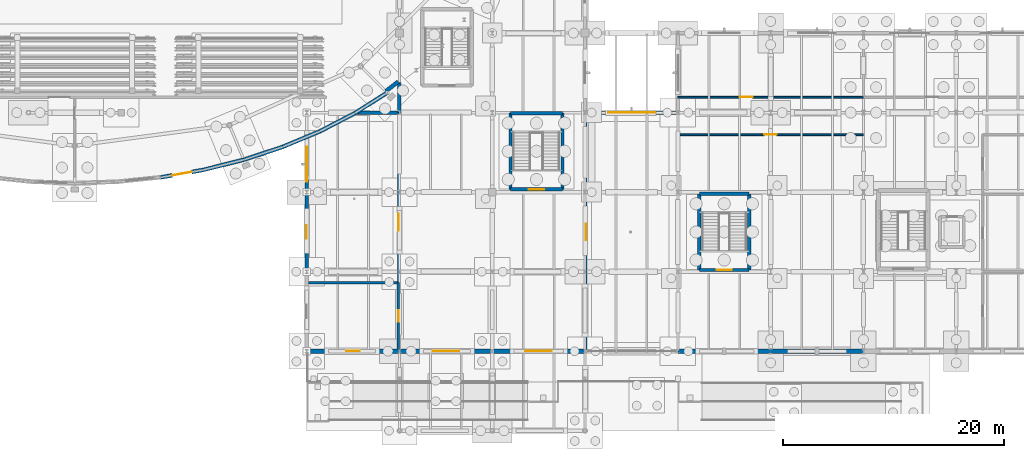
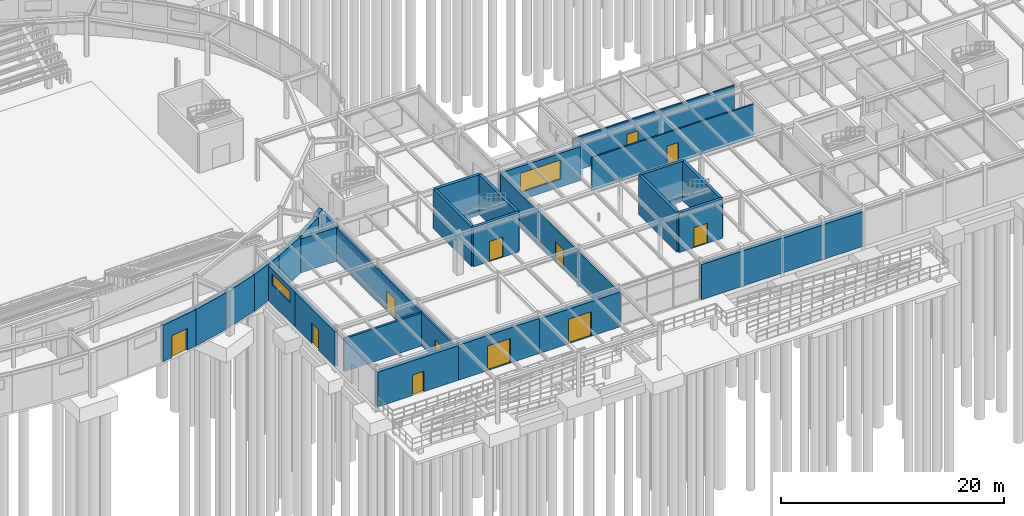
# One storey, part 58 of 93: 31 walls, 12 doors, 2 windows, 14 openings.
"""IFC4 building model written with IfcOpenShell, lengths in metres."""

from ifc_helpers import new_model, si_unit, derived_unit, direction, frame, frame_2d, origin, place, context, subcontext, project, spatial, rectangle, extrude, material, layer, layer_set, type_object, element, fill, save


model = new_model("IFC4")

# Units and contexts
model_context = context("Model", 3, precision=1e-05, world=origin(), true_north=direction((0.0, 1.0)))
body_context = subcontext(model_context, "Body", "Model", "MODEL_VIEW")
ifc_project = project(units=[si_unit("LENGTHUNIT", "METRE"), si_unit("AREAUNIT", "SQUARE_METRE"), si_unit("VOLUMEUNIT", "CUBIC_METRE"), si_unit("PLANEANGLEUNIT", "RADIAN"), si_unit("MASSUNIT", "GRAM", prefix="KILO"), derived_unit("THERMALTRANSMITTANCEUNIT", [(si_unit("MASSUNIT", "GRAM", prefix="KILO"), 1), (si_unit("TIMEUNIT", "SECOND"), -3), (si_unit("THERMODYNAMICTEMPERATUREUNIT", "KELVIN"), -1)])], contexts=[model_context])

# Site, building, storey
site_placement = place(None, origin())
site = spatial("IfcSite", under=ifc_project, at=site_placement, CompositionType="ELEMENT")
building_placement = place(site_placement, origin())
building = spatial("IfcBuilding", under=site, at=building_placement, Name="Kharveza Railside Sports Centre", CompositionType="ELEMENT")
storey_placement = place(building_placement, origin())
storey = spatial("IfcBuildingStorey", under=building, at=storey_placement, Name="L00", CompositionType="ELEMENT", Elevation=0.0)

# Wall, opening, door
ifc_material_1 = material(Name="Precast concrete C40/50", Category="concrete")
ifc_layer_1 = layer(ifc_material_1, 0.419921875, Name="Precast concrete C40/50")
ifc_layer_set_1 = layer_set([ifc_layer_1], Name="Precast concrete C40/50")
wall_type_1 = type_object("IfcWallType", Name="WL-BM420", PredefinedType="SOLIDWALL", material=ifc_layer_set_1)
wall_1_placement = place(storey_placement, frame((75.60009765625, 7.199951171875, 0.0), z_axis=(0.0, 0.0, 1.0), x_axis=(1.0, 0.0, 0.0)))
wall_1 = element("IfcWall", 1, at=wall_1_placement, inside=storey, type_object=wall_type_1, Name="WL-EXT-L00-005", PredefinedType="SOLIDWALL", context=body_context, shape_type="SweptSolid", body=[
    extrude(rectangle(XDim=8.39990234375, YDim=0.419921875, at=frame_2d((4.199951171875, 0.0))), origin(), (0.0, 0.0, 1.0), 3.804931640625),
])
opening_1_placement = place(wall_1_placement, frame((3.60009765625, 0.0, 0.0)))
opening_1 = element("IfcOpeningElement", 2, at=opening_1_placement, cuts=wall_1, Name="Opening D05", PredefinedType="OPENING", context=body_context, shape_type="SweptSolid", body=[
    extrude(rectangle(XDim=1.199951171875, YDim=2.25, at=frame_2d((0.60009765625, 1.125))), frame((0.0, 0.23486328125, 0.0), z_axis=(0.0, -1.0, 0.0), x_axis=(1.0, 0.0, 0.0)), (0.0, 0.0, 1.0), 0.4697265625),
])
ifc_material_2 = material(Name="Anodised aluminium 6063-T6", Category="aluminium")
door_type_1 = type_object("IfcDoorType", Name="DR-EX05", OperationType="NOTDEFINED", PredefinedType="DOOR", material=ifc_material_2)
door_1_placement = place(opening_1_placement, frame((1.199951171875, 0.0, 0.0), z_axis=(0.0, 0.0, 1.0), x_axis=(-1.0, 0.0, 0.0)))
door_1 = element("IfcDoor", 3, at=door_1_placement, inside=storey, type_object=door_type_1, Name="DR-L00-EX-003", OperationType="SINGLE_SWING_LEFT", OverallHeight=2.25, OverallWidth=1.199951171875, PredefinedType="DOOR", context=body_context, shape_type="SweptSolid", body=[
    extrude(rectangle(XDim=1.199951171875, YDim=2.25, at=frame_2d((0.60009765625, 1.125))), frame((0.0, 0.02490234375, 0.0), z_axis=(0.0, -1.0, 0.0), x_axis=(1.0, 0.0, 0.0)), (0.0, 0.0, 1.0), 0.050048828125),
])
fill(opening_1, door_1)

wall_2_placement = place(storey_placement, frame((84.0, 7.199951171875, 0.0), z_axis=(0.0, 0.0, 1.0), x_axis=(1.0, 0.0, 0.0)))
wall_2 = element("IfcWall", 4, at=wall_2_placement, inside=storey, type_object=wall_type_1, Name="WL-EXT-L00-006", PredefinedType="SOLIDWALL", context=body_context, shape_type="SweptSolid", body=[
    extrude(rectangle(XDim=8.39990234375, YDim=0.419921875, at=frame_2d((4.199951171875, 0.0))), origin(), (0.0, 0.0, 1.0), 3.85498046875),
])
opening_2_placement = place(wall_2_placement, frame((3.0, 0.0, 0.0)))
opening_2 = element("IfcOpeningElement", 5, at=opening_2_placement, cuts=wall_2, Name="Opening D01", PredefinedType="OPENING", context=body_context, shape_type="SweptSolid", body=[
    extrude(rectangle(XDim=2.39990234375, YDim=2.699951171875, at=frame_2d((1.199951171875, 1.35009765625))), frame((0.0, 0.23486328125, 0.0), z_axis=(0.0, -1.0, 0.0), x_axis=(1.0, 0.0, 0.0)), (0.0, 0.0, 1.0), 0.4697265625),
])
door_type_2 = type_object("IfcDoorType", Name="DR-EX01", OperationType="NOTDEFINED", PredefinedType="DOOR", material=ifc_material_2)
door_2_placement = place(opening_2_placement, frame((2.39990234375, 0.0, 0.0), z_axis=(0.0, 0.0, 1.0), x_axis=(-1.0, 0.0, 0.0)))
door_2 = element("IfcDoor", 6, at=door_2_placement, inside=storey, type_object=door_type_2, Name="DR-EXT-MAIN-004", OperationType="DOUBLE_DOOR_SINGLE_SWING", OverallHeight=2.699951171875, OverallWidth=2.39990234375, PredefinedType="DOOR", context=body_context, shape_type="SweptSolid", body=[
    extrude(rectangle(XDim=2.39990234375, YDim=2.699951171875, at=frame_2d((1.199951171875, 1.35009765625))), frame((0.0, 0.02490234375, 0.0), z_axis=(0.0, -1.0, 0.0), x_axis=(1.0, 0.0, 0.0)), (0.0, 0.0, 1.0), 0.050048828125),
])
fill(opening_2, door_2)

wall_3_placement = place(storey_placement, frame((92.39990234375, 7.199951171875, 0.0), z_axis=(0.0, 0.0, 1.0), x_axis=(1.0, 0.0, 0.0)))
wall_3 = element("IfcWall", 7, at=wall_3_placement, inside=storey, type_object=wall_type_1, Name="WL-EXT-L00-007", PredefinedType="SOLIDWALL", context=body_context, shape_type="SweptSolid", body=[
    extrude(rectangle(XDim=8.400146484375, YDim=0.419921875, at=frame_2d((4.2001953125, 0.0))), origin(), (0.0, 0.0, 1.0), 3.804931640625),
])
opening_3_placement = place(wall_3_placement, frame((3.0, 0.0, 0.0)))
opening_3 = element("IfcOpeningElement", 8, at=opening_3_placement, cuts=wall_3, Name="Opening D01", PredefinedType="OPENING", context=body_context, shape_type="SweptSolid", body=[
    extrude(rectangle(XDim=2.39990234375, YDim=2.699951171875, at=frame_2d((1.199951171875, 1.35009765625))), frame((0.0, 0.23486328125, 0.0), z_axis=(0.0, -1.0, 0.0), x_axis=(1.0, 0.0, 0.0)), (0.0, 0.0, 1.0), 0.4697265625),
])
door_3_placement = place(opening_3_placement, frame((2.39990234375, 0.0, 0.0), z_axis=(0.0, 0.0, 1.0), x_axis=(-1.0, 0.0, 0.0)))
door_3 = element("IfcDoor", 9, at=door_3_placement, inside=storey, type_object=door_type_2, Name="DR-EXT-MAIN-005", OperationType="DOUBLE_DOOR_SINGLE_SWING", OverallHeight=2.699951171875, OverallWidth=2.39990234375, PredefinedType="DOOR", context=body_context, shape_type="SweptSolid", body=[
    extrude(rectangle(XDim=2.39990234375, YDim=2.699951171875, at=frame_2d((1.199951171875, 1.35009765625))), frame((0.0, 0.02490234375, 0.0), z_axis=(0.0, -1.0, 0.0), x_axis=(1.0, 0.0, 0.0)), (0.0, 0.0, 1.0), 0.050048828125),
])
fill(opening_3, door_3)

# Walls
wall_4_placement = place(storey_placement, frame((109.199951171875, 7.199951171875, 0.0), z_axis=(0.0, 0.0, 1.0), x_axis=(1.0, 0.0, 0.0)))
element("IfcWall", 10, at=wall_4_placement, inside=storey, type_object=wall_type_1, Name="WL-EXT-L00-008", PredefinedType="SOLIDWALL", context=body_context, shape_type="SweptSolid", body=[
    extrude(rectangle(XDim=8.400146484375, YDim=0.419921875, at=frame_2d((4.2001953125, 0.0))), origin(), (0.0, 0.0, 1.0), 3.85498046875),
])
wall_5_placement = place(storey_placement, frame((117.60009765625, 7.199951171875, 0.0), z_axis=(0.0, 0.0, 1.0), x_axis=(1.0, 0.0, 0.0)))
element("IfcWall", 11, at=wall_5_placement, inside=storey, type_object=wall_type_1, Name="WL-EXT-L00-009", PredefinedType="SOLIDWALL", context=body_context, shape_type="SweptSolid", body=[
    extrude(rectangle(XDim=8.39990234375, YDim=0.419921875, at=frame_2d((4.199951171875, 0.0))), origin(), (0.0, 0.0, 1.0), 3.804931640625),
])

# Wall, opening, door
ifc_material_3 = material(Name="Concrete C35/45", Category="concrete")
ifc_layer_2 = layer(ifc_material_3, 0.300048828125, Name="Concrete C35/45")
ifc_layer_set_2 = layer_set([ifc_layer_2], Name="Concrete C35/45")
wall_type_2 = type_object("IfcWallType", Name="WL-CR300", PredefinedType="SHEAR", material=ifc_layer_set_2)
wall_6_placement = place(storey_placement, frame((94.050048828125, 21.85009765625, 0.0), z_axis=(0.0, 0.0, 1.0), x_axis=(1.0, 0.0, 0.0)))
wall_6 = element("IfcWall", 12, at=wall_6_placement, inside=storey, type_object=wall_type_2, Name="WL-CORE-ST10-L00-S", PredefinedType="SHEAR", context=body_context, shape_type="SweptSolid", body=[
    extrude(rectangle(XDim=4.699951171875, YDim=0.300048828125, at=frame_2d((2.35009765625, 0.0))), origin(), (0.0, 0.0, 1.0), 4.320068359375),
])
opening_4_placement = place(wall_6_placement, frame((1.64990234375, 0.0, 0.0)))
opening_4 = element("IfcOpeningElement", 13, at=opening_4_placement, cuts=wall_6, Name="Opening D09", PredefinedType="OPENING", context=body_context, shape_type="SweptSolid", body=[
    extrude(rectangle(XDim=1.39990234375, YDim=2.199951171875, at=frame_2d((0.699951171875, 1.10009765625))), frame((0.0, 0.1748046875, 0.0), z_axis=(0.0, -1.0, 0.0), x_axis=(1.0, 0.0, 0.0)), (0.0, 0.0, 1.0), 0.349853515625),
])
ifc_material_4 = material(Name="Fire-rated hardwood door leaf", Category="wood")
door_type_3 = type_object("IfcDoorType", Name="DR-ST02", OperationType="NOTDEFINED", PredefinedType="DOOR", material=ifc_material_4)
door_4_placement = place(opening_4_placement, frame((1.39990234375, 0.0, 0.0), z_axis=(0.0, 0.0, 1.0), x_axis=(-1.0, 0.0, 0.0)))
door_4 = element("IfcDoor", 14, at=door_4_placement, inside=storey, type_object=door_type_3, Name="DR-ST-ST10-L00", OperationType="SINGLE_SWING_RIGHT", OverallHeight=2.199951171875, OverallWidth=1.39990234375, PredefinedType="DOOR", context=body_context, shape_type="SweptSolid", body=[
    extrude(rectangle(XDim=1.39990234375, YDim=2.199951171875, at=frame_2d((0.699951171875, 1.10009765625))), frame((0.0, 0.02490234375, 0.0), z_axis=(0.0, -1.0, 0.0), x_axis=(1.0, 0.0, 0.0)), (0.0, 0.0, 1.0), 0.050048828125),
])
fill(opening_4, door_4)

# Walls
wall_7_placement = place(storey_placement, frame((98.75, 21.85009765625, 0.0), z_axis=(0.0, 0.0, 1.0), x_axis=(0.0, 1.0, 0.0)))
element("IfcWall", 15, at=wall_7_placement, inside=storey, type_object=wall_type_2, Name="WL-CORE-ST10-L00-E", PredefinedType="SHEAR", context=body_context, shape_type="SweptSolid", body=[
    extrude(rectangle(XDim=6.89990234375, YDim=0.300048828125, at=frame_2d((3.449951171875, 0.0))), origin(), (0.0, 0.0, 1.0), 4.320068359375),
])
wall_8_placement = place(storey_placement, frame((98.75, 28.75, 0.0), z_axis=(0.0, 0.0, 1.0), x_axis=(-1.0, 0.0, 0.0)))
element("IfcWall", 16, at=wall_8_placement, inside=storey, type_object=wall_type_2, Name="WL-CORE-ST10-L00-N", PredefinedType="SHEAR", context=body_context, shape_type="SweptSolid", body=[
    extrude(rectangle(XDim=4.699951171875, YDim=0.300048828125, at=frame_2d((2.35009765625, 0.0))), origin(), (0.0, 0.0, 1.0), 4.320068359375),
])
wall_9_placement = place(storey_placement, frame((94.050048828125, 28.75, 0.0), z_axis=(0.0, 0.0, 1.0), x_axis=(0.0, -1.0, 0.0)))
element("IfcWall", 17, at=wall_9_placement, inside=storey, type_object=wall_type_2, Name="WL-CORE-ST10-L00-W", PredefinedType="SHEAR", context=body_context, shape_type="SweptSolid", body=[
    extrude(rectangle(XDim=6.89990234375, YDim=0.300048828125, at=frame_2d((3.449951171875, 0.0))), origin(), (0.0, 0.0, 1.0), 4.320068359375),
])

# Wall, opening, door
wall_10_placement = place(storey_placement, frame((111.14990234375, 14.550048828125, 0.0), z_axis=(0.0, 0.0, 1.0), x_axis=(1.0, 0.0, 0.0)))
wall_10 = element("IfcWall", 18, at=wall_10_placement, inside=storey, type_object=wall_type_2, Name="WL-CORE-ST12-L00-S", PredefinedType="SHEAR", context=body_context, shape_type="SweptSolid", body=[
    extrude(rectangle(XDim=4.5, YDim=0.300048828125, at=frame_2d((2.25, 0.0))), origin(), (0.0, 0.0, 1.0), 4.320068359375),
])
opening_5_placement = place(wall_10_placement, frame((1.550048828125, 0.0, 0.0)))
opening_5 = element("IfcOpeningElement", 19, at=opening_5_placement, cuts=wall_10, Name="Opening D09", PredefinedType="OPENING", context=body_context, shape_type="SweptSolid", body=[
    extrude(rectangle(XDim=1.39990234375, YDim=2.199951171875, at=frame_2d((0.699951171875, 1.10009765625))), frame((0.0, 0.1748046875, 0.0), z_axis=(0.0, -1.0, 0.0), x_axis=(1.0, 0.0, 0.0)), (0.0, 0.0, 1.0), 0.349853515625),
])
door_5_placement = place(opening_5_placement, frame((1.39990234375, 0.0, 0.0), z_axis=(0.0, 0.0, 1.0), x_axis=(-1.0, 0.0, 0.0)))
door_5 = element("IfcDoor", 20, at=door_5_placement, inside=storey, type_object=door_type_3, Name="DR-ST-ST12-L00", OperationType="SINGLE_SWING_LEFT", OverallHeight=2.199951171875, OverallWidth=1.39990234375, PredefinedType="DOOR", context=body_context, shape_type="SweptSolid", body=[
    extrude(rectangle(XDim=1.39990234375, YDim=2.199951171875, at=frame_2d((0.699951171875, 1.10009765625))), frame((0.0, 0.02490234375, 0.0), z_axis=(0.0, -1.0, 0.0), x_axis=(1.0, 0.0, 0.0)), (0.0, 0.0, 1.0), 0.050048828125),
])
fill(opening_5, door_5)

# Walls
wall_11_placement = place(storey_placement, frame((115.64990234375, 14.550048828125, 0.0), z_axis=(0.0, 0.0, 1.0), x_axis=(0.0, 1.0, 0.0)))
element("IfcWall", 21, at=wall_11_placement, inside=storey, type_object=wall_type_2, Name="WL-CORE-ST12-L00-E", PredefinedType="SHEAR", context=body_context, shape_type="SweptSolid", body=[
    extrude(rectangle(XDim=6.89990234375, YDim=0.300048828125, at=frame_2d((3.449951171875, 0.0))), origin(), (0.0, 0.0, 1.0), 4.320068359375),
])
wall_12_placement = place(storey_placement, frame((115.64990234375, 21.449951171875, 0.0), z_axis=(0.0, 0.0, 1.0), x_axis=(-1.0, 0.0, 0.0)))
element("IfcWall", 22, at=wall_12_placement, inside=storey, type_object=wall_type_2, Name="WL-CORE-ST12-L00-N", PredefinedType="SHEAR", context=body_context, shape_type="SweptSolid", body=[
    extrude(rectangle(XDim=4.5, YDim=0.300048828125, at=frame_2d((2.25, 0.0))), origin(), (0.0, 0.0, 1.0), 4.320068359375),
])
wall_13_placement = place(storey_placement, frame((111.14990234375, 21.449951171875, 0.0), z_axis=(0.0, 0.0, 1.0), x_axis=(0.0, -1.0, 0.0)))
element("IfcWall", 23, at=wall_13_placement, inside=storey, type_object=wall_type_2, Name="WL-CORE-ST12-L00-W", PredefinedType="SHEAR", context=body_context, shape_type="SweptSolid", body=[
    extrude(rectangle(XDim=6.89990234375, YDim=0.300048828125, at=frame_2d((3.449951171875, 0.0))), origin(), (0.0, 0.0, 1.0), 4.320068359375),
])

# Wall, opening, door
ifc_layer_3 = layer(ifc_material_1, 0.360107421875, Name="Precast concrete C40/50")
ifc_layer_set_3 = layer_set([ifc_layer_3], Name="Precast concrete C40/50")
wall_type_3 = type_object("IfcWallType", Name="WL-DR360", PredefinedType="STANDARD", material=ifc_layer_set_3)
wall_14_placement = place(storey_placement, frame((62.403564453125, 22.93798828125, 0.0), z_axis=(0.0, 0.0, 1.0), x_axis=(0.984971163925, 0.172718864739, 0.0)))
wall_14 = element("IfcWall", 24, at=wall_14_placement, inside=storey, type_object=wall_type_3, Name="WL-DRUM-L00-51", PredefinedType="STANDARD", context=body_context, shape_type="SweptSolid", body=[
    extrude(rectangle(XDim=3.865966796875, YDim=0.360107421875, at=frame_2d((1.93310546875, 0.0))), origin(), (0.0, 0.0, 1.0), 4.010009765625),
])
opening_6_placement = place(wall_14_placement, frame((1.032958984375, 0.0, 0.0)))
opening_6 = element("IfcOpeningElement", 25, at=opening_6_placement, cuts=wall_14, Name="Opening D03", PredefinedType="OPENING", context=body_context, shape_type="SweptSolid", body=[
    extrude(rectangle(XDim=1.800048828125, YDim=2.39990234375, at=frame_2d((0.89990234375, 1.199951171875))), frame((0.0, 0.205078125, 0.0), z_axis=(0.0, -1.0, 0.0), x_axis=(1.0, 0.0, 0.0)), (0.0, 0.0, 1.0), 0.409912109375),
])
door_type_4 = type_object("IfcDoorType", Name="DR-EX03", OperationType="NOTDEFINED", PredefinedType="DOOR", material=ifc_material_2)
door_6_placement = place(opening_6_placement, frame((1.800048828125, 0.0, 0.0), z_axis=(0.0, 0.0, 1.0), x_axis=(-1.0, 0.0, 0.0)))
door_6 = element("IfcDoor", 26, at=door_6_placement, inside=storey, type_object=door_type_4, Name="DR-DRUM-EX-51", OperationType="DOUBLE_DOOR_SINGLE_SWING", OverallHeight=2.39990234375, OverallWidth=1.800048828125, PredefinedType="DOOR", context=body_context, shape_type="SweptSolid", body=[
    extrude(rectangle(XDim=1.800048828125, YDim=2.39990234375, at=frame_2d((0.89990234375, 1.199951171875))), frame((0.0, 0.02490234375, 0.0), z_axis=(0.0, -1.0, 0.0), x_axis=(1.0, 0.0, 0.0)), (0.0, 0.0, 1.0), 0.050048828125),
])
fill(opening_6, door_6)

# Walls
wall_15_placement = place(storey_placement, frame((66.21142578125, 23.605712890625, 0.0), z_axis=(0.0, 0.0, 1.0), x_axis=(0.970029313946, 0.242987921686, 0.0)))
element("IfcWall", 27, at=wall_15_placement, inside=storey, type_object=wall_type_3, Name="WL-DRUM-L00-52", PredefinedType="STANDARD", context=body_context, shape_type="SweptSolid", body=[
    extrude(rectangle(XDim=3.81005859375, YDim=0.360107421875, at=frame_2d((1.905029296875, 0.0))), origin(), (0.0, 0.0, 1.0), 4.010009765625),
])
wall_16_placement = place(storey_placement, frame((69.9072265625, 24.531494140625, 0.0), z_axis=(0.0, 0.0, 1.0), x_axis=(0.949327915917, 0.314287301781, 0.0)))
element("IfcWall", 28, at=wall_16_placement, inside=storey, type_object=wall_type_3, Name="WL-DRUM-L00-53", PredefinedType="STANDARD", context=body_context, shape_type="SweptSolid", body=[
    extrude(rectangle(XDim=3.738037109375, YDim=0.360107421875, at=frame_2d((1.869140625, 0.0))), origin(), (0.0, 0.0, 1.0), 4.010009765625),
])
wall_17_placement = place(storey_placement, frame((73.455810546875, 25.706298828125, 0.0), z_axis=(0.0, 0.0, 1.0), x_axis=(0.922130522386, 0.386878921219, 0.0)))
element("IfcWall", 29, at=wall_17_placement, inside=storey, type_object=wall_type_3, Name="WL-DRUM-L00-54", PredefinedType="STANDARD", context=body_context, shape_type="SweptSolid", body=[
    extrude(rectangle(XDim=3.6513671875, YDim=0.360107421875, at=frame_2d((1.82568359375, 0.0))), origin(), (0.0, 0.0, 1.0), 4.010009765625),
])
wall_18_placement = place(storey_placement, frame((76.82275390625, 27.118896484375, 0.0), z_axis=(0.0, 0.0, 1.0), x_axis=(0.887548498586, 0.46071429613, 0.0)))
element("IfcWall", 30, at=wall_18_placement, inside=storey, type_object=wall_type_3, Name="WL-DRUM-L00-55", PredefinedType="STANDARD", context=body_context, shape_type="SweptSolid", body=[
    extrude(rectangle(XDim=3.552490234375, YDim=0.360107421875, at=frame_2d((1.7763671875, 0.0))), origin(), (0.0, 0.0, 1.0), 4.010009765625),
])
wall_19_placement = place(storey_placement, frame((79.975830078125, 28.755615234375, 0.0), z_axis=(0.0, 0.0, 1.0), x_axis=(0.844367033968, 0.535765164926, 0.0)))
element("IfcWall", 31, at=wall_19_placement, inside=storey, type_object=wall_type_3, Name="WL-DRUM-L00-56", PredefinedType="STANDARD", context=body_context, shape_type="SweptSolid", body=[
    extrude(rectangle(XDim=3.444580078125, YDim=0.360107421875, at=frame_2d((1.72216796875, 0.0))), origin(), (0.0, 0.0, 1.0), 4.010009765625),
])
wall_20_placement = place(storey_placement, frame((82.774169921875, 30.743408203125, 0.0), z_axis=(0.0, 0.0, 1.0), x_axis=(0.791399241235, 0.611299632727, 0.0)))
element("IfcWall", 32, at=wall_20_placement, inside=storey, type_object=wall_type_3, Name="WL-DRUM-JCT-L00-57-1", PredefinedType="STANDARD", context=body_context, shape_type="SweptSolid", body=[
    extrude(rectangle(XDim=1.409912109375, YDim=0.360107421875, at=frame_2d((0.705078125, 0.0))), origin(), (0.0, 0.0, 1.0), 4.010009765625),
])
ifc_layer_4 = layer(ifc_material_1, 0.320068359375, Name="Precast concrete C40/50")
ifc_layer_set_4 = layer_set([ifc_layer_4], Name="Precast concrete C40/50")
wall_type_4 = type_object("IfcWallType", Name="WL-EX320", PredefinedType="STANDARD", material=ifc_layer_set_4)
wall_21_placement = place(storey_placement, frame((84.0, 28.800048828125, 0.0), z_axis=(0.0, 0.0, 1.0), x_axis=(-1.0, 0.0, 0.0)))
element("IfcWall", 33, at=wall_21_placement, inside=storey, type_object=wall_type_4, Name="WL-EXT-L00-001", PredefinedType="STANDARD", context=body_context, shape_type="SweptSolid", body=[
    extrude(rectangle(XDim=4.047119140625, YDim=0.320068359375, at=frame_2d((2.0234375, 0.0))), origin(), (0.0, 0.0, 1.0), 3.705078125),
])

# Wall, opening, window
wall_22_placement = place(storey_placement, frame((75.60009765625, 26.6591796875, 0.0), z_axis=(0.0, 0.0, 1.0), x_axis=(0.0, -1.0, 0.0)))
wall_22 = element("IfcWall", 34, at=wall_22_placement, inside=storey, type_object=wall_type_4, Name="WL-EXT-L00-002", PredefinedType="STANDARD", context=body_context, shape_type="SweptSolid", body=[
    extrude(rectangle(XDim=5.05908203125, YDim=0.320068359375, at=frame_2d((2.529541015625, 0.0))), origin(), (0.0, 0.0, 1.0), 3.804931640625),
])
opening_7_placement = place(wall_22_placement, frame((0.9296875, 0.0, 2.10009765625)))
opening_7 = element("IfcOpeningElement", 35, at=opening_7_placement, cuts=wall_22, Name="Opening WN08", PredefinedType="OPENING", context=body_context, shape_type="SweptSolid", body=[
    extrude(rectangle(XDim=3.199951171875, YDim=1.199951171875, at=frame_2d((1.60009765625, 0.60009765625))), frame((0.0, 0.18505859375, 0.0), z_axis=(0.0, -1.0, 0.0), x_axis=(1.0, 0.0, 0.0)), (0.0, 0.0, 1.0), 0.369873046875),
])
ifc_material_5 = material(Name="Low-E solar-control laminated glass", Category="glass")
window_type_1 = type_object("IfcWindowType", Name="WN-F08", PartitioningType="SINGLE_PANEL", PredefinedType="WINDOW", material=ifc_material_5)
window_1_placement = place(opening_7_placement, origin())
window_1 = element("IfcWindow", 36, at=window_1_placement, inside=storey, type_object=window_type_1, Name="WN-EXT-L00-001", OverallHeight=1.199951171875, OverallWidth=3.199951171875, PartitioningType="SINGLE_PANEL", PredefinedType="WINDOW", context=body_context, shape_type="SweptSolid", body=[
    extrude(rectangle(XDim=3.199951171875, YDim=1.199951171875, at=frame_2d((1.60009765625, 0.60009765625))), frame((0.0, 0.030029296875, 0.0), z_axis=(0.0, -1.0, 0.0), x_axis=(1.0, 0.0, 0.0)), (0.0, 0.0, 1.0), 0.06005859375),
])
fill(opening_7, window_1)

# Wall, opening, door
wall_23_placement = place(storey_placement, frame((75.60009765625, 21.60009765625, 0.0), z_axis=(0.0, 0.0, 1.0), x_axis=(0.0, -1.0, 0.0)))
wall_23 = element("IfcWall", 37, at=wall_23_placement, inside=storey, type_object=wall_type_4, Name="WL-EXT-L00-003", PredefinedType="STANDARD", context=body_context, shape_type="SweptSolid", body=[
    extrude(rectangle(XDim=7.2001953125, YDim=0.320068359375, at=frame_2d((3.60009765625, 0.0))), origin(), (0.0, 0.0, 1.0), 3.804931640625),
])
opening_8_placement = place(wall_23_placement, frame((3.0, 0.0, 0.0)))
opening_8 = element("IfcOpeningElement", 38, at=opening_8_placement, cuts=wall_23, Name="Opening D05", PredefinedType="OPENING", context=body_context, shape_type="SweptSolid", body=[
    extrude(rectangle(XDim=1.199951171875, YDim=2.25, at=frame_2d((0.60009765625, 1.125))), frame((0.0, 0.18505859375, 0.0), z_axis=(0.0, -1.0, 0.0), x_axis=(1.0, 0.0, 0.0)), (0.0, 0.0, 1.0), 0.369873046875),
])
door_7_placement = place(opening_8_placement, frame((1.199951171875, 0.0, 0.0), z_axis=(0.0, 0.0, 1.0), x_axis=(-1.0, 0.0, 0.0)))
door_7 = element("IfcDoor", 39, at=door_7_placement, inside=storey, type_object=door_type_1, Name="DR-L00-EX-001", OperationType="SINGLE_SWING_LEFT", OverallHeight=2.25, OverallWidth=1.199951171875, PredefinedType="DOOR", context=body_context, shape_type="SweptSolid", body=[
    extrude(rectangle(XDim=1.199951171875, YDim=2.25, at=frame_2d((0.60009765625, 1.125))), frame((0.0, 0.02490234375, 0.0), z_axis=(0.0, -1.0, 0.0), x_axis=(1.0, 0.0, 0.0)), (0.0, 0.0, 1.0), 0.050048828125),
])
fill(opening_8, door_7)

# Wall, opening, window
wall_24_placement = place(storey_placement, frame((109.199951171875, 28.800048828125, 0.0), z_axis=(0.0, 0.0, 1.0), x_axis=(-1.0, 0.0, 0.0)))
wall_24 = element("IfcWall", 40, at=wall_24_placement, inside=storey, type_object=wall_type_4, Name="WL-EXT-L00-059", PredefinedType="STANDARD", context=body_context, shape_type="SweptSolid", body=[
    extrude(rectangle(XDim=8.39990234375, YDim=0.320068359375, at=frame_2d((4.199951171875, 0.0))), origin(), (0.0, 0.0, 1.0), 3.705078125),
])
opening_9_placement = place(wall_24_placement, frame((2.10009765625, 0.0, 0.85009765625)))
opening_9 = element("IfcOpeningElement", 41, at=opening_9_placement, cuts=wall_24, Name="Opening WN10", PredefinedType="OPENING", context=body_context, shape_type="SweptSolid", body=[
    extrude(rectangle(XDim=4.199951171875, YDim=2.10009765625, at=frame_2d((2.10009765625, 1.050048828125))), frame((0.0, 0.18505859375, 0.0), z_axis=(0.0, -1.0, 0.0), x_axis=(1.0, 0.0, 0.0)), (0.0, 0.0, 1.0), 0.369873046875),
])
window_type_2 = type_object("IfcWindowType", Name="WN-F10", PartitioningType="SINGLE_PANEL", PredefinedType="WINDOW", material=ifc_material_5)
window_2_placement = place(opening_9_placement, origin())
window_2 = element("IfcWindow", 42, at=window_2_placement, inside=storey, type_object=window_type_2, Name="WN-EXT-L00-013", OverallHeight=2.10009765625, OverallWidth=4.199951171875, PartitioningType="SINGLE_PANEL", PredefinedType="WINDOW", context=body_context, shape_type="SweptSolid", body=[
    extrude(rectangle(XDim=4.199951171875, YDim=2.10009765625, at=frame_2d((2.10009765625, 1.050048828125))), frame((0.0, 0.030029296875, 0.0), z_axis=(0.0, -1.0, 0.0), x_axis=(1.0, 0.0, 0.0)), (0.0, 0.0, 1.0), 0.06005859375),
])
fill(opening_9, window_2)

# Wall
wall_25_placement = place(storey_placement, frame((84.0, 31.52490234375, 0.0), z_axis=(0.0, 0.0, 1.0), x_axis=(0.0, -1.0, 0.0)))
element("IfcWall", 43, at=wall_25_placement, inside=storey, type_object=wall_type_4, Name="WL-EXT-L00-063", PredefinedType="STANDARD", context=body_context, shape_type="SweptSolid", body=[
    extrude(rectangle(XDim=2.724853515625, YDim=0.320068359375, at=frame_2d((1.3623046875, 0.0))), origin(), (0.0, 0.0, 1.0), 3.705078125),
])

# Wall, opening, door
ifc_layer_5 = layer(ifc_material_3, 0.159912109375, Name="Concrete C35/45")
ifc_layer_set_5 = layer_set([ifc_layer_5], Name="Concrete C35/45")
wall_type_5 = type_object("IfcWallType", Name="WL-PT160", PredefinedType="PARTITIONING", material=ifc_layer_set_5)
wall_26_placement = place(storey_placement, frame((109.199951171875, 26.800048828125, 0.0), z_axis=(0.0, 0.0, 1.0), x_axis=(1.0, 0.0, 0.0)))
wall_26 = element("IfcWall", 44, at=wall_26_placement, inside=storey, type_object=wall_type_5, Name="WL-INT-L00-013", PredefinedType="PARTITIONING", context=body_context, shape_type="SweptSolid", body=[
    extrude(rectangle(XDim=16.800048828125, YDim=0.159912109375, at=frame_2d((8.39990234375, 0.0))), origin(), (0.0, 0.0, 1.0), 3.6201171875),
])
opening_10_placement = place(wall_26_placement, frame((7.824951171875, 0.0, 0.0)))
opening_10 = element("IfcOpeningElement", 45, at=opening_10_placement, cuts=wall_26, Name="Opening D17", PredefinedType="OPENING", context=body_context, shape_type="SweptSolid", body=[
    extrude(rectangle(XDim=1.14990234375, YDim=2.14990234375, at=frame_2d((0.574951171875, 1.074951171875))), frame((0.0, 0.10498046875, 0.0), z_axis=(0.0, -1.0, 0.0), x_axis=(1.0, 0.0, 0.0)), (0.0, 0.0, 1.0), 0.209716796875),
])
door_type_5 = type_object("IfcDoorType", Name="DR-IN05", OperationType="NOTDEFINED", PredefinedType="DOOR", material=ifc_material_4)
door_8_placement = place(opening_10_placement, frame((1.14990234375, 0.0, 0.0), z_axis=(0.0, 0.0, 1.0), x_axis=(-1.0, 0.0, 0.0)))
door_8 = element("IfcDoor", 46, at=door_8_placement, inside=storey, type_object=door_type_5, Name="DR-INT-L00-012", OperationType="SINGLE_SWING_LEFT", OverallHeight=2.14990234375, OverallWidth=1.14990234375, PredefinedType="DOOR", context=body_context, shape_type="SweptSolid", body=[
    extrude(rectangle(XDim=1.14990234375, YDim=2.14990234375, at=frame_2d((0.574951171875, 1.074951171875))), frame((0.0, 0.02490234375, 0.0), z_axis=(0.0, -1.0, 0.0), x_axis=(1.0, 0.0, 0.0)), (0.0, 0.0, 1.0), 0.050048828125),
])
fill(opening_10, door_8)

wall_27_placement = place(storey_placement, frame((109.199951171875, 30.199951171875, 0.0), z_axis=(0.0, 0.0, 1.0), x_axis=(1.0, 0.0, 0.0)))
wall_27 = element("IfcWall", 47, at=wall_27_placement, inside=storey, type_object=wall_type_5, Name="WL-INT-L00-015", PredefinedType="PARTITIONING", context=body_context, shape_type="SweptSolid", body=[
    extrude(rectangle(XDim=16.800048828125, YDim=0.159912109375, at=frame_2d((8.39990234375, 0.0))), origin(), (0.0, 0.0, 1.0), 3.6201171875),
])
opening_11_placement = place(wall_27_placement, frame((5.625, 0.0, 0.0)))
opening_11 = element("IfcOpeningElement", 48, at=opening_11_placement, cuts=wall_27, Name="Opening D17", PredefinedType="OPENING", context=body_context, shape_type="SweptSolid", body=[
    extrude(rectangle(XDim=1.14990234375, YDim=2.14990234375, at=frame_2d((0.574951171875, 1.074951171875))), frame((0.0, 0.10498046875, 0.0), z_axis=(0.0, -1.0, 0.0), x_axis=(1.0, 0.0, 0.0)), (0.0, 0.0, 1.0), 0.209716796875),
])
door_9_placement = place(opening_11_placement, origin())
door_9 = element("IfcDoor", 49, at=door_9_placement, inside=storey, type_object=door_type_5, Name="DR-INT-L00-013", OperationType="SINGLE_SWING_RIGHT", OverallHeight=2.14990234375, OverallWidth=1.14990234375, PredefinedType="DOOR", context=body_context, shape_type="SweptSolid", body=[
    extrude(rectangle(XDim=1.14990234375, YDim=2.14990234375, at=frame_2d((0.574951171875, 1.074951171875))), frame((0.0, 0.02490234375, 0.0), z_axis=(0.0, -1.0, 0.0), x_axis=(1.0, 0.0, 0.0)), (0.0, 0.0, 1.0), 0.050048828125),
])
fill(opening_11, door_9)

ifc_material_6 = material(Name="Gypsum board acoustic stud partition")
ifc_layer_6 = layer(ifc_material_6, 0.175048828125, Name="Gypsum board acoustic stud partition")
ifc_layer_set_6 = layer_set([ifc_layer_6], Name="Gypsum board acoustic stud partition")
wall_type_6 = type_object("IfcWallType", Name="WL-PT175", PredefinedType="PARTITIONING", material=ifc_layer_set_6)
wall_28_placement = place(storey_placement, frame((83.89990234375, 13.5, 0.0), z_axis=(0.0, 0.0, 1.0), x_axis=(0.0, 1.0, 0.0)))
wall_28 = element("IfcWall", 50, at=wall_28_placement, inside=storey, type_object=wall_type_6, Name="WL-INT-L00-003", PredefinedType="PARTITIONING", context=body_context, shape_type="SweptSolid", body=[
    extrude(rectangle(XDim=15.14990234375, YDim=0.175048828125, at=frame_2d((7.574951171875, 0.0))), origin(), (0.0, 0.0, 1.0), 3.6201171875),
])
opening_12_placement = place(wall_28_placement, frame((4.625, 0.0, 0.0)))
opening_12 = element("IfcOpeningElement", 51, at=opening_12_placement, cuts=wall_28, Name="Opening D15", PredefinedType="OPENING", context=body_context, shape_type="SweptSolid", body=[
    extrude(rectangle(XDim=1.5, YDim=2.199951171875, at=frame_2d((0.75, 1.10009765625))), frame((0.0, 0.1123046875, 0.0), z_axis=(0.0, -1.0, 0.0), x_axis=(1.0, 0.0, 0.0)), (0.0, 0.0, 1.0), 0.224853515625),
])
door_type_6 = type_object("IfcDoorType", Name="DR-IN03", OperationType="NOTDEFINED", PredefinedType="DOOR", material=ifc_material_4)
door_10_placement = place(opening_12_placement, origin())
door_10 = element("IfcDoor", 52, at=door_10_placement, inside=storey, type_object=door_type_6, Name="DR-INT-L00-002", OperationType="DOUBLE_DOOR_SINGLE_SWING", OverallHeight=2.199951171875, OverallWidth=1.5, PredefinedType="DOOR", context=body_context, shape_type="SweptSolid", body=[
    extrude(rectangle(XDim=1.5, YDim=2.199951171875, at=frame_2d((0.75, 1.10009765625))), frame((0.0, 0.02490234375, 0.0), z_axis=(0.0, -1.0, 0.0), x_axis=(1.0, 0.0, 0.0)), (0.0, 0.0, 1.0), 0.050048828125),
])
fill(opening_12, door_10)

wall_29_placement = place(storey_placement, frame((100.89990234375, 7.35009765625, 0.0), z_axis=(0.0, 0.0, 1.0), x_axis=(0.0, 1.0, 0.0)))
wall_29 = element("IfcWall", 53, at=wall_29_placement, inside=storey, type_object=wall_type_6, Name="WL-INT-L00-004", PredefinedType="PARTITIONING", context=body_context, shape_type="SweptSolid", body=[
    extrude(rectangle(XDim=21.2998046875, YDim=0.175048828125, at=frame_2d((10.64990234375, 0.0))), origin(), (0.0, 0.0, 1.0), 3.6201171875),
])
opening_13_placement = place(wall_29_placement, frame((9.89990234375, 0.0, 0.0)))
opening_13 = element("IfcOpeningElement", 54, at=opening_13_placement, cuts=wall_29, Name="Opening D15", PredefinedType="OPENING", context=body_context, shape_type="SweptSolid", body=[
    extrude(rectangle(XDim=1.5, YDim=2.199951171875, at=frame_2d((0.75, 1.10009765625))), frame((0.0, 0.1123046875, 0.0), z_axis=(0.0, -1.0, 0.0), x_axis=(1.0, 0.0, 0.0)), (0.0, 0.0, 1.0), 0.224853515625),
])
door_11_placement = place(opening_13_placement, frame((1.5, 0.0, 0.0), z_axis=(0.0, 0.0, 1.0), x_axis=(-1.0, 0.0, 0.0)))
door_11 = element("IfcDoor", 55, at=door_11_placement, inside=storey, type_object=door_type_6, Name="DR-INT-L00-003", OperationType="DOUBLE_DOOR_SINGLE_SWING", OverallHeight=2.199951171875, OverallWidth=1.5, PredefinedType="DOOR", context=body_context, shape_type="SweptSolid", body=[
    extrude(rectangle(XDim=1.5, YDim=2.199951171875, at=frame_2d((0.75, 1.10009765625))), frame((0.0, 0.02490234375, 0.0), z_axis=(0.0, -1.0, 0.0), x_axis=(1.0, 0.0, 0.0)), (0.0, 0.0, 1.0), 0.050048828125),
])
fill(opening_13, door_11)

ifc_layer_7 = layer(ifc_material_3, 0.219970703125, Name="Concrete C35/45")
ifc_layer_set_7 = layer_set([ifc_layer_7], Name="Concrete C35/45")
wall_type_7 = type_object("IfcWallType", Name="WL-PT220", PredefinedType="PARTITIONING", material=ifc_layer_set_7)
wall_30_placement = place(storey_placement, frame((83.89990234375, 7.35009765625, 0.0), z_axis=(0.0, 0.0, 1.0), x_axis=(0.0, 1.0, 0.0)))
wall_30 = element("IfcWall", 56, at=wall_30_placement, inside=storey, type_object=wall_type_7, Name="WL-INT-L00-001", PredefinedType="PARTITIONING", context=body_context, shape_type="SweptSolid", body=[
    extrude(rectangle(XDim=6.0498046875, YDim=0.219970703125, at=frame_2d((3.02490234375, 0.0))), origin(), (0.0, 0.0, 1.0), 3.6201171875),
])
opening_14_placement = place(wall_30_placement, frame((2.5, 0.0, 0.0)))
opening_14 = element("IfcOpeningElement", 57, at=opening_14_placement, cuts=wall_30, Name="Opening D10", PredefinedType="OPENING", context=body_context, shape_type="SweptSolid", body=[
    extrude(rectangle(XDim=1.050048828125, YDim=2.14990234375, at=frame_2d((0.52490234375, 1.074951171875))), frame((0.0, 0.134765625, 0.0), z_axis=(0.0, -1.0, 0.0), x_axis=(1.0, 0.0, 0.0)), (0.0, 0.0, 1.0), 0.269775390625),
])
door_type_7 = type_object("IfcDoorType", Name="DR-ST03", OperationType="NOTDEFINED", PredefinedType="DOOR", material=ifc_material_4)
door_12_placement = place(opening_14_placement, origin())
door_12 = element("IfcDoor", 58, at=door_12_placement, inside=storey, type_object=door_type_7, Name="DR-INT-L00-001", OperationType="SINGLE_SWING_RIGHT", OverallHeight=2.14990234375, OverallWidth=1.050048828125, PredefinedType="DOOR", context=body_context, shape_type="SweptSolid", body=[
    extrude(rectangle(XDim=1.050048828125, YDim=2.14990234375, at=frame_2d((0.52490234375, 1.074951171875))), frame((0.0, 0.02490234375, 0.0), z_axis=(0.0, -1.0, 0.0), x_axis=(1.0, 0.0, 0.0)), (0.0, 0.0, 1.0), 0.050048828125),
])
fill(opening_14, door_12)

# Wall
wall_31_placement = place(storey_placement, frame((75.75, 13.39990234375, 0.0), z_axis=(0.0, 0.0, 1.0), x_axis=(1.0, 0.0, 0.0)))
element("IfcWall", 59, at=wall_31_placement, inside=storey, type_object=wall_type_7, Name="WL-INT-L00-002", PredefinedType="PARTITIONING", context=body_context, shape_type="SweptSolid", body=[
    extrude(rectangle(XDim=8.14990234375, YDim=0.219970703125, at=frame_2d((4.074951171875, 0.0))), origin(), (0.0, 0.0, 1.0), 3.6201171875),
])

save(model, "model.ifc")
